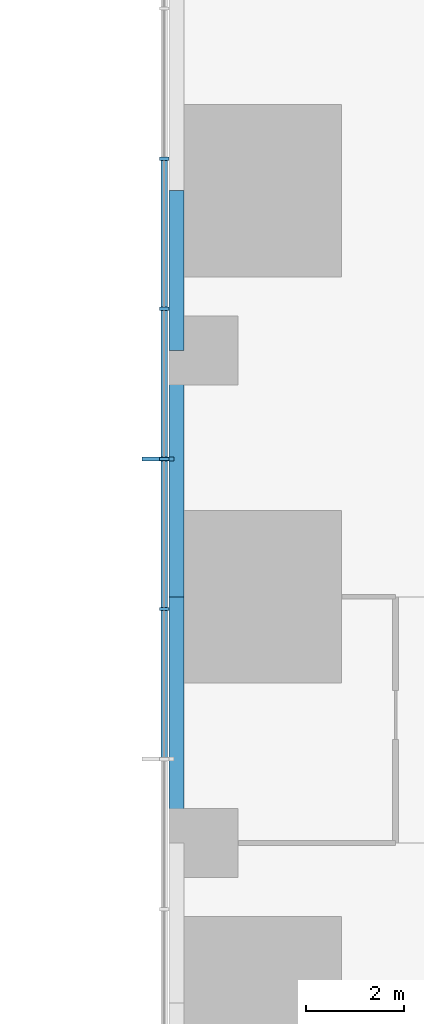
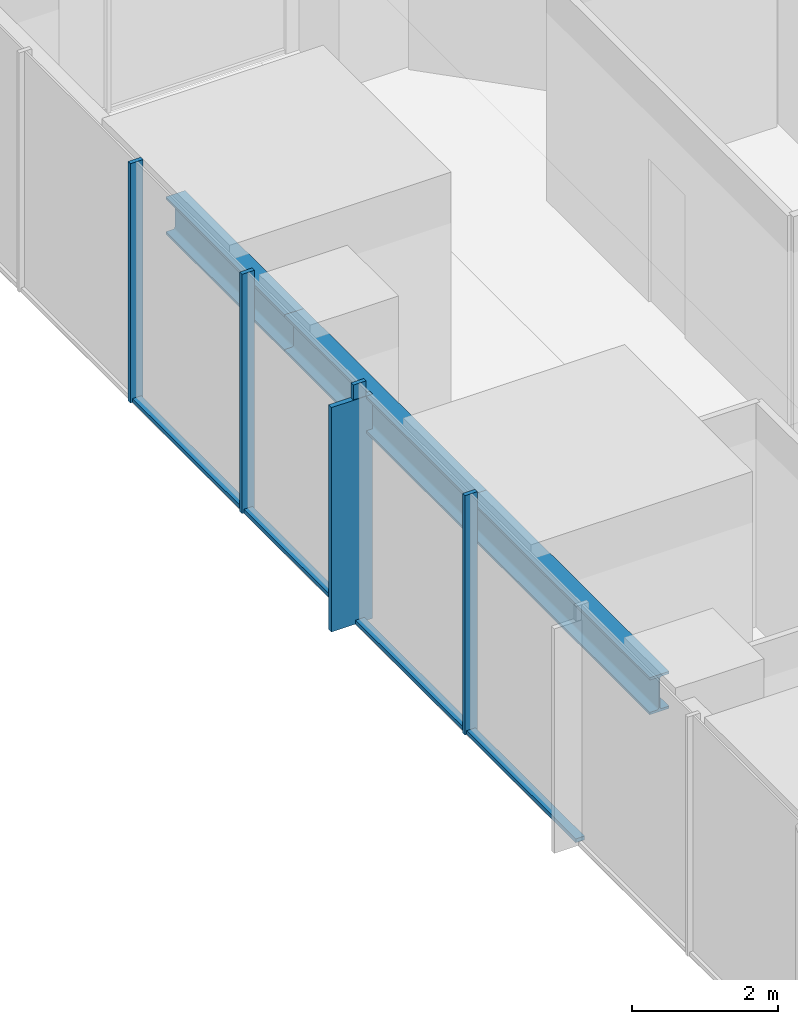
# One storey, part 3 of 18: 9 members, 3 beams, 1 element without a shape of its own.
"""IFC4 building model written with IfcOpenShell, lengths in metres."""

from ifc_helpers import new_model, si_unit, direction, frame, origin, origin_2d, place, context, subcontext, project, spatial, rectangle, i_section, extrude, material, material_profile, profile_set, type_object, element, aggregate, save


model = new_model("IFC4")

# Units and contexts
model_context = context("Model", 3, precision=1e-05, world=origin(), true_north=direction((0.0, 1.0)))
body_context = subcontext(model_context, "Body", "Model", "MODEL_VIEW")
ifc_project = project(units=[si_unit("LENGTHUNIT", "METRE"), si_unit("AREAUNIT", "SQUARE_METRE"), si_unit("VOLUMEUNIT", "CUBIC_METRE"), si_unit("PLANEANGLEUNIT", "RADIAN"), si_unit("MASSUNIT", "GRAM", prefix="KILO")], contexts=[model_context])

# Site, building, storey
site_placement = place(None, origin())
site = spatial("IfcSite", under=ifc_project, at=site_placement, CompositionType="ELEMENT")
building_placement = place(site_placement, origin())
building = spatial("IfcBuilding", under=site, at=building_placement, Name="Svetlomir Tower", CompositionType="ELEMENT")
storey_placement = place(building_placement, frame((0.0, 0.0, 54.5)))
storey = spatial("IfcBuildingStorey", under=building, at=storey_placement, Name="L12", CompositionType="ELEMENT", Elevation=54.5)

# Curtain wall, members
ifc_material_1 = material(Name="Bronze anodised aluminium curtain wall", Category="aluminium")
curtain_wall_type = type_object("IfcCurtainWallType", Name="CURTAIN WALL CW1 TOWER OFFICE", PredefinedType="NOTDEFINED", material=ifc_material_1)
curtain_wall_placement = place(storey_placement, origin())
curtain_wall = element("IfcCurtainWall", 1, at=curtain_wall_placement, inside=storey, type_object=curtain_wall_type, Name="Curtain wall CW1 L12", PredefinedType="NOTDEFINED")
ifc_material_2 = material(Name="Bronze anodised aluminium", Category="aluminium")
ifc_material_profile_1 = material_profile(ifc_material_2, rectangle(XDim=0.080078125, YDim=0.64990234375, at=origin_2d()), Name="FIN 80x650")
ifc_profile_set_1 = profile_set([ifc_material_profile_1], Name="Bronze anodised aluminium 6063-T6")
member_type_1 = type_object("IfcMemberType", Name="BRONZE FIN 80x650", PredefinedType="USERDEFINED", material=ifc_profile_set_1)
member_1_placement = place(storey_placement, frame((-0.22509765625, 23.800048828125, 0.0), z_axis=(0.0, 0.0, 1.0), x_axis=(0.0, 1.0, 0.0)))
member_1 = element("IfcMember", 2, at=member_1_placement, type_object=member_type_1, Name="Bronze fin L12", ObjectType="FIN", PredefinedType="USERDEFINED", context=body_context, shape_type="SweptSolid", body=[
    extrude(rectangle(XDim=0.080078125, YDim=0.64990234375, at=origin_2d()), origin(), (0.0, 0.0, 1.0), 3.75),
])
ifc_material_3 = material(Name="Bronze anodised aluminium", Category="aluminium")
ifc_material_profile_2 = material_profile(ifc_material_3, rectangle(XDim=0.06494140625, YDim=0.199951171875, at=origin_2d()), Name="AL 65x200")
ifc_profile_set_2 = profile_set([ifc_material_profile_2], Name="Bronze anodised aluminium 6063-T6")
member_type_2 = type_object("IfcMemberType", Name="CW1 MULLION 65x200", PredefinedType="MULLION", material=ifc_profile_set_2)
member_2_placement = place(storey_placement, frame((-0.10009765625, 29.89990234375, 0.0), z_axis=(0.0, 0.0, 1.0), x_axis=(0.0, -1.0, 0.0)))
member_2 = element("IfcMember", 3, at=member_2_placement, type_object=member_type_2, Name="CW1 mullion 3", PredefinedType="MULLION", context=body_context, shape_type="SweptSolid", body=[
    extrude(rectangle(XDim=0.06494140625, YDim=0.199951171875, at=origin_2d()), origin(), (0.0, 0.0, 1.0), 4.0),
])
member_3_placement = place(storey_placement, frame((-0.10009765625, 26.85009765625, 0.0), z_axis=(0.0, 0.0, 1.0), x_axis=(0.0, -1.0, 0.0)))
member_3 = element("IfcMember", 4, at=member_3_placement, type_object=member_type_2, Name="CW1 mullion 4", PredefinedType="MULLION", context=body_context, shape_type="SweptSolid", body=[
    extrude(rectangle(XDim=0.06494140625, YDim=0.199951171875, at=origin_2d()), origin(), (0.0, 0.0, 1.0), 4.0),
])
member_4_placement = place(storey_placement, frame((-0.10009765625, 23.800048828125, 0.0), z_axis=(0.0, 0.0, 1.0), x_axis=(0.0, -1.0, 0.0)))
member_4 = element("IfcMember", 5, at=member_4_placement, type_object=member_type_2, Name="CW1 mullion 5", PredefinedType="MULLION", context=body_context, shape_type="SweptSolid", body=[
    extrude(rectangle(XDim=0.06494140625, YDim=0.199951171875, at=origin_2d()), origin(), (0.0, 0.0, 1.0), 4.0),
])
member_5_placement = place(storey_placement, frame((-0.10009765625, 20.75, 0.0), z_axis=(0.0, 0.0, 1.0), x_axis=(0.0, -1.0, 0.0)))
member_5 = element("IfcMember", 6, at=member_5_placement, type_object=member_type_2, Name="CW1 mullion 6", PredefinedType="MULLION", context=body_context, shape_type="SweptSolid", body=[
    extrude(rectangle(XDim=0.06494140625, YDim=0.199951171875, at=origin_2d()), origin(), (0.0, 0.0, 1.0), 4.0),
])
ifc_material_4 = material(Name="Bronze anodised aluminium", Category="aluminium")
ifc_material_profile_3 = material_profile(ifc_material_4, rectangle(XDim=0.139892578125, YDim=0.06494140625, at=origin_2d()), Name="AL 140x65")
ifc_profile_set_3 = profile_set([ifc_material_profile_3], Name="Bronze anodised aluminium 6063-T6")
member_type_3 = type_object("IfcMemberType", Name="CW1 TRANSOM 65x140", PredefinedType="USERDEFINED", material=ifc_profile_set_3)
member_6_placement = place(storey_placement, frame((-0.10009765625, 29.867431640625, 0.032470703125), z_axis=(0.0, -1.0, 0.0), x_axis=(1.0, 0.0, 0.0)))
member_6 = element("IfcMember", 7, at=member_6_placement, type_object=member_type_3, Name="CW1 transom 3.1", ObjectType="TRANSOM", PredefinedType="USERDEFINED", context=body_context, shape_type="SweptSolid", body=[
    extrude(rectangle(XDim=0.139892578125, YDim=0.06494140625, at=origin_2d()), origin(), (0.0, 0.0, 1.0), 2.98486328125),
])
member_7_placement = place(storey_placement, frame((-0.10009765625, 26.8173828125, 0.032470703125), z_axis=(0.0, -1.0, 0.0), x_axis=(1.0, 0.0, 0.0)))
member_7 = element("IfcMember", 8, at=member_7_placement, type_object=member_type_3, Name="CW1 transom 4.1", ObjectType="TRANSOM", PredefinedType="USERDEFINED", context=body_context, shape_type="SweptSolid", body=[
    extrude(rectangle(XDim=0.139892578125, YDim=0.06494140625, at=origin_2d()), origin(), (0.0, 0.0, 1.0), 2.98486328125),
])
member_8_placement = place(storey_placement, frame((-0.10009765625, 23.767578125, 0.032470703125), z_axis=(0.0, -1.0, 0.0), x_axis=(1.0, 0.0, 0.0)))
member_8 = element("IfcMember", 9, at=member_8_placement, type_object=member_type_3, Name="CW1 transom 5.1", ObjectType="TRANSOM", PredefinedType="USERDEFINED", context=body_context, shape_type="SweptSolid", body=[
    extrude(rectangle(XDim=0.139892578125, YDim=0.06494140625, at=origin_2d()), origin(), (0.0, 0.0, 1.0), 2.985107421875),
])
member_9_placement = place(storey_placement, frame((-0.10009765625, 20.717529296875, 0.032470703125), z_axis=(0.0, -1.0, 0.0), x_axis=(1.0, 0.0, 0.0)))
member_9 = element("IfcMember", 10, at=member_9_placement, type_object=member_type_3, Name="CW1 transom 6.1", ObjectType="TRANSOM", PredefinedType="USERDEFINED", context=body_context, shape_type="SweptSolid", body=[
    extrude(rectangle(XDim=0.139892578125, YDim=0.06494140625, at=origin_2d()), origin(), (0.0, 0.0, 1.0), 2.985107421875),
])
aggregate(curtain_wall, [member_2, member_3, member_4, member_5, member_6, member_7, member_8, member_9, member_1])

# Beams
ifc_material_5 = material(Name="Steel S355", Category="steel")
ifc_material_profile_4 = material_profile(ifc_material_5, i_section(OverallWidth=0.304931640625, OverallDepth=0.6201171875, WebThickness=0.02099609375, FlangeThickness=0.0400390625, FilletRadius=0.027099609375, at=origin_2d()), Name="HEM 600")
ifc_profile_set_4 = profile_set([ifc_material_profile_4], Name="Steel S355")
beam_type = type_object("IfcBeamType", Name="EDGE BEAM HEM 600", PredefinedType="SPANDREL", material=ifc_profile_set_4)
for number, where, z_axis, x_axis, name in (
    (11, (0.152587890625, 16.0, 3.43994140625), (0.0, 1.0, 0.0), (-1.0, 0.0, 0.0), "Edge beam 0/16 to 0/21 under L13"),
    (12, (0.152587890625, 21.0, 3.43994140625), (0.0, 1.0, 0.0), (-1.0, 0.0, 0.0), "Edge beam 0/21 to 0/26 under L13"),
):
    element("IfcBeam", number, at=place(storey_placement, frame(where, z_axis=z_axis, x_axis=x_axis)), inside=storey, type_object=beam_type, Name=name, PredefinedType="SPANDREL", context=body_context, shape_type="SweptSolid", body=[
        extrude(i_section(OverallWidth=0.304931640625, OverallDepth=0.6201171875, WebThickness=0.02099609375, FlangeThickness=0.0400390625, FilletRadius=0.027099609375, at=origin_2d()), origin(), (0.0, 0.0, 1.0), 5.0),
    ])
beam_placement = place(storey_placement, frame((0.152587890625, 26.0, 3.43994140625), z_axis=(0.0, 1.0, 0.0), x_axis=(-1.0, 0.0, 0.0)))
element("IfcBeam", 13, at=beam_placement, inside=storey, type_object=beam_type, Name="Edge beam 0/26 to 0/31 under L13", PredefinedType="SPANDREL", context=body_context, shape_type="SweptSolid", body=[
    extrude(i_section(OverallWidth=0.304931640625, OverallDepth=0.6201171875, WebThickness=0.02099609375, FlangeThickness=0.0400390625, FilletRadius=0.027099609375, at=origin_2d()), origin(), (0.0, 0.0, 1.0), 3.25),
])

save(model, "model.ifc")
